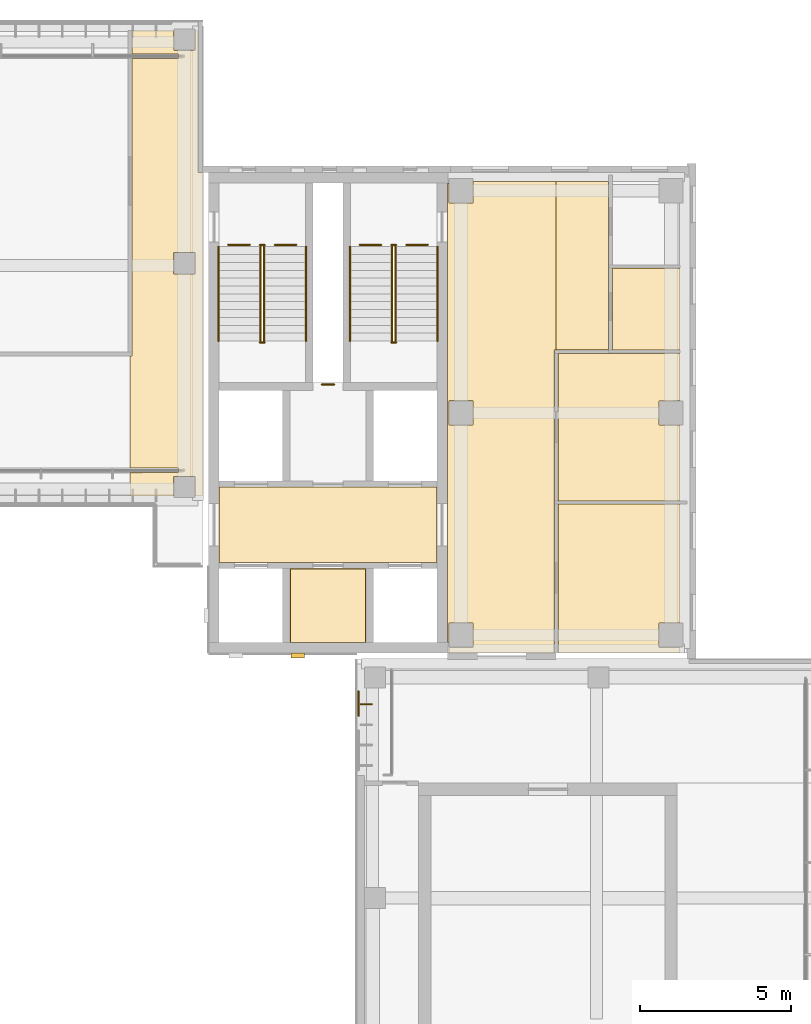
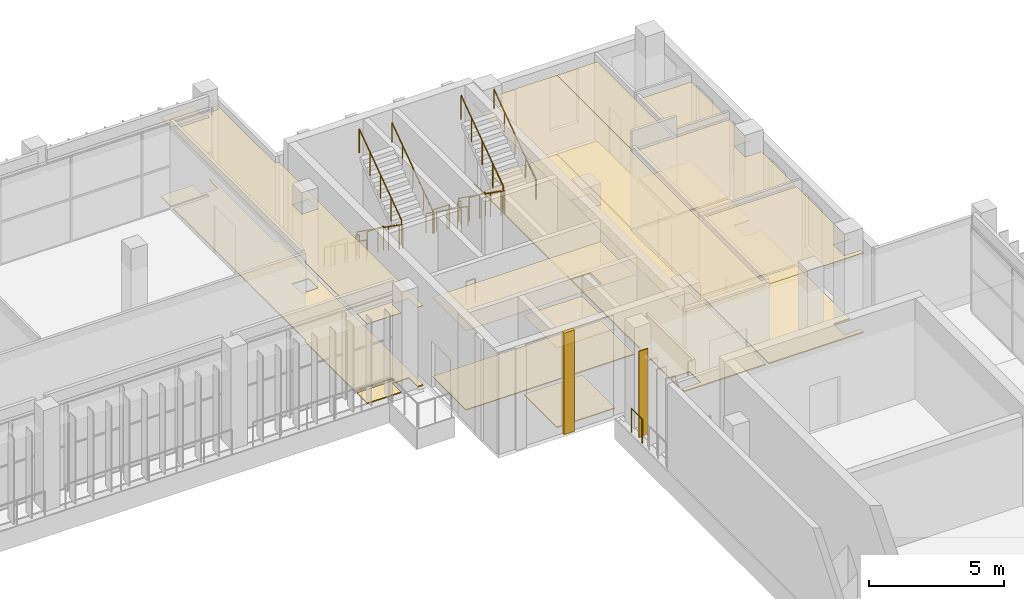
# One storey, part 72 of 73: 18 railings, 17 coverings, 1 shading device.
"""IFC4 building model written with IfcOpenShell, lengths in metres."""

import ifcopenshell
import ifcopenshell.guid

model = None  # the IFC model being written
_history = None  # IfcOwnerHistory: only IFC2X3 demands one
_inside = {}  # id of a spatial element -> (the spatial element, [elements in it])
_under = {}  # id of a project, library or spatial element -> (it, [spatial elements below it])
_declared = {}  # id of a project -> (the project, [libraries it declares])
_typed = {}  # id of a type object -> (the type object, [elements of that type])
_made_of = {}  # id of a material, layer set ... -> (it, [elements and type objects made of it])


def new_model(schema):
    """Start an empty IFC model of exactly this schema.

    Asked for "IFC4X3", IfcOpenShell would pick the latest addendum, in which some entities
    have other attributes; the version numbers below select the first issue.
    IFC2X3 requires an IfcOwnerHistory on every rooted entity: one is made here for all.
    """
    global model, _history
    if schema == "IFC4X3":
        model = ifcopenshell.file(schema_version=(4, 3, 0, 0))
    else:
        model = ifcopenshell.file(schema=schema)
    _inside.clear()
    _under.clear()
    _declared.clear()
    _typed.clear()
    _made_of.clear()
    _history = None
    if model.schema == "IFC2X3":
        org = make("IfcOrganization", Name="unknown")
        user = make(
            "IfcPersonAndOrganization",
            ThePerson=make("IfcPerson", FamilyName="unknown"),
            TheOrganization=org,
        )
        app = make(
            "IfcApplication",
            ApplicationDeveloper=org,
            Version="unknown",
            ApplicationFullName="unknown",
            ApplicationIdentifier="unknown",
        )
        _history = make(
            "IfcOwnerHistory",
            OwningUser=user,
            OwningApplication=app,
            ChangeAction="ADDED",
            CreationDate=0,
        )
    return model


def make(cls, **values):
    """One entity of the class cls with the attributes given. An attribute that is None is left unset."""
    return model.create_entity(
        cls, **{name: value for name, value in values.items() if value is not None}
    )


def rooted(cls, **values):
    """An entity with a GlobalId (a new one), such as an element, a storey or a relation."""
    return make(cls, GlobalId=ifcopenshell.guid.new(), OwnerHistory=_history, **values)


def si_unit(unit_type, name, prefix=None):
    """IfcSIUnit, for example si_unit("LENGTHUNIT", "METRE", prefix="MILLI")."""
    return make("IfcSIUnit", UnitType=unit_type, Prefix=prefix, Name=name)


def assignment(units):
    """IfcUnitAssignment: the units of a project."""
    return None if units is None else make("IfcUnitAssignment", Units=units)


def point(xyz):
    """IfcCartesianPoint."""
    return None if xyz is None else make("IfcCartesianPoint", Coordinates=xyz)


def direction(xyz):
    """IfcDirection."""
    return None if xyz is None else make("IfcDirection", DirectionRatios=xyz)


def frame(location, z_axis=None, x_axis=None):
    """IfcAxis2Placement3D, a coordinate frame: its origin and axes. An axis left out is left unset."""
    return make(
        "IfcAxis2Placement3D",
        Location=point(location),
        Axis=direction(z_axis),
        RefDirection=direction(x_axis),
    )


def frame_2d(location, x_axis=None):
    """IfcAxis2Placement2D, a coordinate frame in the plane: its origin and x axis."""
    return make(
        "IfcAxis2Placement2D", Location=point(location), RefDirection=direction(x_axis)
    )


def origin():
    """The frame at (0, 0, 0) with its axes left unset."""
    return frame((0.0, 0.0, 0.0))


def origin_2d():
    """The frame at (0, 0) in the plane with its x axis left unset."""
    return frame_2d((0.0, 0.0))


def place(relative_to, where):
    """IfcLocalPlacement: puts the frame where relative to a parent placement (None: the world)."""
    return make(
        "IfcLocalPlacement", PlacementRelTo=relative_to, RelativePlacement=where
    )


def context(
    kind, dimensions, precision=None, world=None, true_north=None, identifier=None
):
    """IfcGeometricRepresentationContext, for example the 3D "Model" context."""
    return make(
        "IfcGeometricRepresentationContext",
        ContextIdentifier=identifier,
        ContextType=kind,
        CoordinateSpaceDimension=dimensions,
        Precision=precision,
        WorldCoordinateSystem=world,
        TrueNorth=true_north,
    )


def subcontext(parent, identifier, kind, view, scale=None):
    """IfcGeometricRepresentationSubContext, for example "Body" below "Model"."""
    return make(
        "IfcGeometricRepresentationSubContext",
        ContextIdentifier=identifier,
        ContextType=kind,
        ParentContext=parent,
        TargetScale=scale,
        TargetView=view,
    )


def project(units=None, contexts=None):
    """IfcProject with its units and contexts."""
    return rooted(
        "IfcProject",
        Name="project",
        RepresentationContexts=contexts,
        UnitsInContext=assignment(units),
    )


def spatial(cls, under=None, at=None, **own):
    """A site, building, storey or space (cls), placed at a placement, below another one or the project."""
    s = rooted(cls, ObjectPlacement=at, **own)
    if under is not None:
        _under.setdefault(under.id(), (under, []))[1].append(s)
    return s


def polyline(points):
    """IfcPolyline through the points."""
    return make("IfcPolyline", Points=[point(p) for p in points])


def profile(cls, at=None, kind="AREA", **sizes):
    """A parametric profile (cls). Its sizes go by their IFC names, for example OverallWidth=200.0."""
    return make(cls, ProfileType=kind, Position=at, **sizes)


def rectangle(**sizes):
    """IfcRectangleProfileDef."""
    return profile("IfcRectangleProfileDef", **sizes)


def circle(**sizes):
    """IfcCircleProfileDef."""
    return profile("IfcCircleProfileDef", **sizes)


def outline(outer, holes=None, kind="AREA"):
    """IfcArbitraryClosedProfileDef: a profile drawn as a closed curve; with holes, ...WithVoids."""
    if holes is None:
        return make("IfcArbitraryClosedProfileDef", ProfileType=kind, OuterCurve=outer)
    return make(
        "IfcArbitraryProfileDefWithVoids",
        ProfileType=kind,
        OuterCurve=outer,
        InnerCurves=holes,
    )


def extrude(swept, where, along, depth):
    """IfcExtrudedAreaSolid: the profile swept, set in the frame where, extruded along a direction by depth."""
    return make(
        "IfcExtrudedAreaSolid",
        SweptArea=swept,
        Position=where,
        ExtrudedDirection=direction(along),
        Depth=depth,
    )


def shape(context_of_items, identifier, shape_type, items):
    """IfcShapeRepresentation: the items that make up one representation, for example the "Body"."""
    return make(
        "IfcShapeRepresentation",
        ContextOfItems=context_of_items,
        RepresentationIdentifier=identifier,
        RepresentationType=shape_type,
        Items=items,
    )


def material(Name=None, Category=None):
    """IfcMaterial."""
    return make("IfcMaterial", Name=Name, Category=Category)


def layer(
    of_material, thickness, ventilated=None, Name=None, Category=None, Priority=None
):
    """IfcMaterialLayer: one layer of a wall or slab, of a material (None: an air gap)."""
    return make(
        "IfcMaterialLayer",
        Material=of_material,
        LayerThickness=thickness,
        IsVentilated=ventilated,
        Name=Name,
        Category=Category,
        Priority=Priority,
    )


def layer_set(layers, Name=None):
    """IfcMaterialLayerSet."""
    return make("IfcMaterialLayerSet", MaterialLayers=layers, LayerSetName=Name)


def made_of(thing, what):
    """Note that an element or type object is made of a material, layer set ...; save() writes the relation."""
    if what is not None:
        _made_of.setdefault(what.id(), (what, []))[1].append(thing)
    return thing


def type_object(cls, material=None, **own):
    """A type object (cls), such as IfcWallType, which elements share."""
    return made_of(rooted(cls, **own), material)


def element(
    cls,
    number,
    at=None,
    inside=None,
    cuts=None,
    type_object=None,
    material=None,
    context=None,
    identifier="Body",
    shape_type=None,
    held_by="IfcProductDefinitionShape",
    body=None,
    shapes=None,
    **own,
):
    """One element of the class cls, such as IfcWall. Its Tag is "e" and its number.

    at: its placement. inside: the storey or other place that contains it. cuts: it is an
    opening in that element (IfcRelVoidsElement). A single representation is given by context,
    identifier, shape_type and body (its items); several are given by shapes. held_by: the class
    of the entity that holds the representations. save() writes the other relations.
    """
    e = rooted(cls, Tag="e%d" % number, ObjectPlacement=at, **own)
    if body is not None:
        shapes = [shape(context, identifier, shape_type, body)]
    if shapes is not None:
        e.Representation = make(held_by, Representations=shapes)
    if inside is not None:
        _inside.setdefault(inside.id(), (inside, []))[1].append(e)
    if cuts is not None:
        rooted(
            "IfcRelVoidsElement", RelatingBuildingElement=cuts, RelatedOpeningElement=e
        )
    if type_object is not None:
        _typed.setdefault(type_object.id(), (type_object, []))[1].append(e)
    return made_of(e, material)


def aggregate(whole, parts):
    """IfcRelAggregates: a whole, such as a stair, and the parts it consists of."""
    return rooted("IfcRelAggregates", RelatingObject=whole, RelatedObjects=parts)


def save(model, path):
    """Write the relations noted so far, then the file.

    IfcRelAggregates (storeys below a building ...), IfcRelContainedInSpatialStructure (elements
    in a storey), IfcRelDefinesByType, IfcRelAssociatesMaterial and IfcRelDeclares: one each for
    every whole, place, type object, material and project.
    """
    for whole, parts in _under.values():
        aggregate(whole, parts)
    for where, things in _inside.values():
        rooted(
            "IfcRelContainedInSpatialStructure",
            RelatedElements=things,
            RelatingStructure=where,
        )
    for kind, things in _typed.values():
        rooted("IfcRelDefinesByType", RelatedObjects=things, RelatingType=kind)
    for what, things in _made_of.values():
        rooted("IfcRelAssociatesMaterial", RelatedObjects=things, RelatingMaterial=what)
    for by, libraries in _declared.values():
        rooted("IfcRelDeclares", RelatingContext=by, RelatedDefinitions=libraries)
    model.write(path)


model = new_model("IFC4")

# Units and contexts
model_context = context("Model", 3, precision=1e-05, world=origin(), true_north=direction((0.0, 1.0)))
body_context = subcontext(model_context, "Body", "Model", "MODEL_VIEW")
ifc_project = project(units=[si_unit("LENGTHUNIT", "METRE"), si_unit("AREAUNIT", "SQUARE_METRE"), si_unit("VOLUMEUNIT", "CUBIC_METRE"), si_unit("PLANEANGLEUNIT", "RADIAN"), si_unit("MASSUNIT", "GRAM", prefix="KILO")], contexts=[model_context])

# Site, building, storey
site_placement = place(None, origin())
site = spatial("IfcSite", under=ifc_project, at=site_placement, CompositionType="ELEMENT")
building_placement = place(site_placement, origin())
building = spatial("IfcBuilding", under=site, at=building_placement, Name="Lantern Court Media Centre", CompositionType="ELEMENT")
storey_placement = place(building_placement, frame((0.0, 0.0, 24.0)))
storey = spatial("IfcBuildingStorey", under=building, at=storey_placement, Name="L05", CompositionType="ELEMENT", Elevation=24.0)

# Coverings
ifc_material_1 = material(Name="Carpet")
ifc_layer_1 = layer(ifc_material_1, 0.050048828125)
ifc_layer_set_1 = layer_set([ifc_layer_1], Name="Carpet")
covering_type_1 = type_object("IfcCoveringType", Name="Carpet floor finish", PredefinedType="FLOORING", material=ifc_layer_set_1)
covering_1_placement = place(storey_placement, origin())
element("IfcCovering", 1, at=covering_1_placement, inside=storey, type_object=covering_type_1, Name="Broadcast Programming Office 06 floor finish", PredefinedType="FLOORING", context=body_context, shape_type="SweptSolid", body=[
    extrude(outline(polyline([(95.699951171875, 101.14306640625), (91.66748046875, 101.14306640625), (91.66748046875, 106.009521484375), (95.699951171875, 106.02197265625), (95.699951171875, 104.455078125), (94.9951171875, 104.449951171875), (94.99609375, 103.646728515625), (95.699951171875, 103.64501953125), (95.699951171875, 101.14306640625)])), origin(), (0.0, 0.0, 1.0), 0.050048828125),
])
covering_2_placement = place(storey_placement, origin())
element("IfcCovering", 2, at=covering_2_placement, inside=storey, type_object=covering_type_1, Name="Broadcast Programming Office 07 floor finish", PredefinedType="FLOORING", context=body_context, shape_type="SweptSolid", body=[
    extrude(outline(polyline([(95.699951171875, 96.10009765625), (91.66748046875, 96.10009765625), (91.66748046875, 101.032958984375), (95.699951171875, 101.032958984375), (95.699951171875, 97.10498046875), (94.9951171875, 97.10009765625), (94.995849609375, 96.297119140625), (95.699951171875, 96.294921875), (95.699951171875, 96.10009765625)])), origin(), (0.0, 0.0, 1.0), 0.050048828125),
])
covering_3_placement = place(storey_placement, origin())
element("IfcCovering", 3, at=covering_3_placement, inside=storey, type_object=covering_type_1, Name="WC Female floor finish", PredefinedType="FLOORING", context=body_context, shape_type="SweptSolid", body=[
    extrude(outline(polyline([(95.699951171875, 106.132080078125), (93.467529296875, 106.132080078125), (93.467529296875, 108.8330078125), (95.699951171875, 108.8330078125), (95.699951171875, 106.132080078125)])), origin(), (0.0, 0.0, 1.0), 0.050048828125),
])
ifc_material_2 = material(Name="Ceramic tile")
ifc_layer_2 = layer(ifc_material_2, 0.050048828125)
ifc_layer_set_2 = layer_set([ifc_layer_2], Name="Ceramic tile")
covering_type_2 = type_object("IfcCoveringType", Name="Ceramic tile floor finish", PredefinedType="FLOORING", material=ifc_layer_set_2)
covering_4_placement = place(storey_placement, origin())
element("IfcCovering", 4, at=covering_4_placement, inside=storey, type_object=covering_type_2, Name="Accessible WC floor finish", PredefinedType="FLOORING", context=body_context, shape_type="SweptSolid", body=[
    extrude(outline(polyline([(82.804931640625, 96.455078125), (82.804931640625, 98.89501953125), (85.294921875, 98.89501953125), (85.294921875, 96.455078125), (82.804931640625, 96.455078125)])), origin(), (0.0, 0.0, 1.0), 0.050048828125),
])

# Railings
ifc_material_3 = material(Name="Powder-coated steel", Category="steel")
railing_type_1 = type_object("IfcRailingType", Name="Floor edge guard 1100", PredefinedType="GUARDRAIL", material=ifc_material_3)
railing_1_placement = place(storey_placement, frame((85.10009765625, 109.609619140625, 0.0)))
element("IfcRailing", 5, at=railing_1_placement, inside=storey, type_object=railing_type_1, Name="L05 opening guard 137", PredefinedType="GUARDRAIL", context=body_context, shape_type="SweptSolid", body=[
    extrude(circle(Radius=0.02392578125, at=origin_2d()), frame((0.0, 0.0, 1.076171875), z_axis=(1.0, 0.0, 0.0), x_axis=(0.0, 1.0, 0.0)), (0.0, 0.0, 1.0), 0.70361328125),
    extrude(circle(Radius=0.02099609375, at=origin_2d()), origin(), (0.0, 0.0, 1.0), 1.052001953125),
    extrude(circle(Radius=0.02099609375, at=origin_2d()), frame((0.70361328125, 0.0, 0.0)), (0.0, 0.0, 1.0), 1.052001953125),
])
railing_2_placement = place(storey_placement, frame((86.646240234375, 109.609619140625, 0.0)))
element("IfcRailing", 6, at=railing_2_placement, inside=storey, type_object=railing_type_1, Name="L05 opening guard 138", PredefinedType="GUARDRAIL", context=body_context, shape_type="SweptSolid", body=[
    extrude(circle(Radius=0.02392578125, at=origin_2d()), frame((0.0, 0.0, 1.076171875), z_axis=(1.0, 0.0, 0.0), x_axis=(0.0, 1.0, 0.0)), (0.0, 0.0, 1.0), 0.703857421875),
    extrude(circle(Radius=0.02099609375, at=origin_2d()), origin(), (0.0, 0.0, 1.0), 1.052001953125),
    extrude(circle(Radius=0.02099609375, at=origin_2d()), frame((0.703857421875, 0.0, 0.0)), (0.0, 0.0, 1.0), 1.052001953125),
])
for number, where, name in (
    (7, (80.75, 109.609619140625, 0.0), "L05 opening guard 139"),
    (8, (82.29638671875, 109.609619140625, 0.0), "L05 opening guard 140"),
):
    element("IfcRailing", number, at=place(storey_placement, frame(where)), inside=storey, type_object=railing_type_1, Name=name, PredefinedType="GUARDRAIL", context=body_context, shape_type="SweptSolid", body=[
        extrude(circle(Radius=0.02392578125, at=origin_2d()), frame((0.0, 0.0, 1.076171875), z_axis=(1.0, 0.0, 0.0), x_axis=(0.0, 1.0, 0.0)), (0.0, 0.0, 1.0), 0.70361328125),
        extrude(circle(Radius=0.02099609375, at=origin_2d()), origin(), (0.0, 0.0, 1.0), 1.052001953125),
        extrude(circle(Radius=0.02099609375, at=origin_2d()), frame((0.70361328125, 0.0, 0.0)), (0.0, 0.0, 1.0), 1.052001953125),
    ])
railing_3_placement = place(storey_placement, frame((83.85009765625, 104.989990234375, 0.0)))
element("IfcRailing", 9, at=railing_3_placement, inside=storey, type_object=railing_type_1, Name="L05 opening guard 141", PredefinedType="GUARDRAIL", context=body_context, shape_type="SweptSolid", body=[
    extrude(circle(Radius=0.02392578125, at=origin_2d()), frame((0.0, 0.0, 1.076171875), z_axis=(1.0, 0.0, 0.0), x_axis=(0.0, 1.0, 0.0)), (0.0, 0.0, 1.0), 0.39990234375),
    extrude(circle(Radius=0.02099609375, at=origin_2d()), origin(), (0.0, 0.0, 1.0), 1.052001953125),
    extrude(circle(Radius=0.02099609375, at=origin_2d()), frame((0.39990234375, 0.0, 0.0)), (0.0, 0.0, 1.0), 1.052001953125),
])
railing_4_placement = place(storey_placement, frame((85.06005859375, 94.034912109375, 0.0)))
element("IfcRailing", 10, at=railing_4_placement, inside=storey, type_object=railing_type_1, Name="L05 edge guard 194", PredefinedType="GUARDRAIL", context=body_context, shape_type="SweptSolid", body=[
    extrude(circle(Radius=0.02392578125, at=origin_2d()), frame((0.0, 0.0, 1.076171875), z_axis=(0.0, 1.0, 0.0), x_axis=(-1.0, 0.0, 0.0)), (0.0, 0.0, 1.0), 0.799072265625),
    extrude(circle(Radius=0.02099609375, at=origin_2d()), origin(), (0.0, 0.0, 1.0), 1.052001953125),
    extrude(circle(Radius=0.02099609375, at=origin_2d()), frame((0.0, 0.799072265625, 0.0)), (0.0, 0.0, 1.0), 1.052001953125),
])

# Covering
ifc_material_4 = material(Name="Honed limestone cladding", Category="masonry")
ifc_layer_3 = layer(ifc_material_4, 0.14990234375)
ifc_layer_set_3 = layer_set([ifc_layer_3], Name="Honed limestone cladding")
covering_type_3 = type_object("IfcCoveringType", Name="Limestone pilaster cladding 150", PredefinedType="CLADDING", material=ifc_layer_set_3)
covering_5_placement = place(storey_placement, frame((82.824951171875, 96.02490234375, 0.0), z_axis=(0.0, 0.0, 1.0), x_axis=(1.0, 0.0, 0.0)))
element("IfcCovering", 11, at=covering_5_placement, inside=storey, type_object=covering_type_3, Name="Limestone pilaster rib", PredefinedType="CLADDING", context=body_context, shape_type="SweptSolid", body=[
    extrude(rectangle(XDim=0.449951171875, YDim=0.14990234375, at=frame_2d((0.22509765625, 0.0))), origin(), (0.0, 0.0, 1.0), 4.580078125),
])

# Railings
railing_type_2 = type_object("IfcRailingType", Name="Stair guard 1100", PredefinedType="GUARDRAIL", material=ifc_material_3)
railing_5_placement = place(storey_placement, frame((86.174072265625, 109.550048828125, 0.1845703125)))
element("IfcRailing", 12, at=railing_5_placement, inside=storey, type_object=railing_type_2, Name="L05 ST-NEA stair guard 1", PredefinedType="GUARDRAIL", context=body_context, shape_type="SweptSolid", body=[
    extrude(circle(Radius=0.02392578125, at=origin_2d()), frame((0.0, 0.0, 1.076171875), z_axis=(0.0, -0.815376961211, 0.578930402662), x_axis=(1.0, 0.0, 0.0)), (0.0, 0.0, 1.0), 3.82666015625),
    extrude(circle(Radius=0.02099609375, at=origin_2d()), origin(), (0.0, 0.0, 1.0), 1.052001953125),
    extrude(circle(Radius=0.02099609375, at=origin_2d()), frame((0.0, -0.780029296875, 0.5537109375)), (0.0, 0.0, 1.0), 1.052001953125),
    extrude(circle(Radius=0.02099609375, at=origin_2d()), frame((0.0, -1.56005859375, 1.107666015625)), (0.0, 0.0, 1.0), 1.052001953125),
    extrude(circle(Radius=0.02099609375, at=origin_2d()), frame((0.0, -2.340087890625, 1.66162109375)), (0.0, 0.0, 1.0), 1.052001953125),
    extrude(circle(Radius=0.02099609375, at=origin_2d()), frame((0.0, -3.1201171875, 2.21533203125)), (0.0, 0.0, 1.0), 1.052001953125),
])
railing_6_placement = place(storey_placement, frame((86.14990234375, 106.3798828125, 2.39990234375)))
element("IfcRailing", 13, at=railing_6_placement, inside=storey, type_object=railing_type_2, Name="L05 ST-NEA stair guard 2", PredefinedType="GUARDRAIL", context=body_context, shape_type="SweptSolid", body=[
    extrude(circle(Radius=0.02392578125, at=origin_2d()), frame((0.0, 0.0, 1.076171875), z_axis=(1.0, 0.0, 0.0), x_axis=(0.0, 1.0, 0.0)), (0.0, 0.0, 1.0), 0.150146484375),
    extrude(circle(Radius=0.02099609375, at=origin_2d()), origin(), (0.0, 0.0, 1.0), 1.052001953125),
    extrude(circle(Radius=0.02099609375, at=origin_2d()), frame((0.150146484375, 0.0, 0.0)), (0.0, 0.0, 1.0), 1.052001953125),
])
railing_7_placement = place(storey_placement, frame((86.27587890625, 106.429931640625, 2.584716796875)))
element("IfcRailing", 14, at=railing_7_placement, inside=storey, type_object=railing_type_2, Name="L05 ST-NEA stair guard 3", PredefinedType="GUARDRAIL", context=body_context, shape_type="SweptSolid", body=[
    extrude(circle(Radius=0.02392578125, at=origin_2d()), frame((0.0, 0.0, 1.076171875), z_axis=(0.0, 0.815376961211, 0.578930402662), x_axis=(-1.0, 0.0, 0.0)), (0.0, 0.0, 1.0), 3.82666015625),
    extrude(circle(Radius=0.02099609375, at=origin_2d()), origin(), (0.0, 0.0, 1.0), 1.052001953125),
    extrude(circle(Radius=0.02099609375, at=origin_2d()), frame((0.0, 0.780029296875, 0.5537109375)), (0.0, 0.0, 1.0), 1.052001953125),
    extrude(circle(Radius=0.02099609375, at=origin_2d()), frame((0.0, 1.56005859375, 1.107666015625)), (0.0, 0.0, 1.0), 1.052001953125),
    extrude(circle(Radius=0.02099609375, at=origin_2d()), frame((0.0, 2.340087890625, 1.66162109375)), (0.0, 0.0, 1.0), 1.052001953125),
    extrude(circle(Radius=0.02099609375, at=origin_2d()), frame((0.0, 3.1201171875, 2.21533203125)), (0.0, 0.0, 1.0), 1.052001953125),
])
railing_8_placement = place(storey_placement, frame((86.14990234375, 109.60009765625, 0.0)))
element("IfcRailing", 15, at=railing_8_placement, inside=storey, type_object=railing_type_2, Name="L05 ST-NEA stair guard 4", PredefinedType="GUARDRAIL", context=body_context, shape_type="SweptSolid", body=[
    extrude(circle(Radius=0.02392578125, at=origin_2d()), frame((0.0, 0.0, 1.076171875), z_axis=(1.0, 0.0, 0.0), x_axis=(0.0, 1.0, 0.0)), (0.0, 0.0, 1.0), 0.150146484375),
    extrude(circle(Radius=0.02099609375, at=origin_2d()), origin(), (0.0, 0.0, 1.0), 1.052001953125),
    extrude(circle(Radius=0.02099609375, at=origin_2d()), frame((0.150146484375, 0.0, 0.0)), (0.0, 0.0, 1.0), 1.052001953125),
])
railing_9_placement = place(storey_placement, frame((81.823974609375, 109.550048828125, 0.1845703125)))
element("IfcRailing", 16, at=railing_9_placement, inside=storey, type_object=railing_type_2, Name="L05 ST-NEB stair guard 1", PredefinedType="GUARDRAIL", context=body_context, shape_type="SweptSolid", body=[
    extrude(circle(Radius=0.02392578125, at=origin_2d()), frame((0.0, 0.0, 1.076171875), z_axis=(0.0, -0.815376961211, 0.578930402662), x_axis=(1.0, 0.0, 0.0)), (0.0, 0.0, 1.0), 3.82666015625),
    extrude(circle(Radius=0.02099609375, at=origin_2d()), origin(), (0.0, 0.0, 1.0), 1.052001953125),
    extrude(circle(Radius=0.02099609375, at=origin_2d()), frame((0.0, -0.780029296875, 0.5537109375)), (0.0, 0.0, 1.0), 1.052001953125),
    extrude(circle(Radius=0.02099609375, at=origin_2d()), frame((0.0, -1.56005859375, 1.107666015625)), (0.0, 0.0, 1.0), 1.052001953125),
    extrude(circle(Radius=0.02099609375, at=origin_2d()), frame((0.0, -2.340087890625, 1.66162109375)), (0.0, 0.0, 1.0), 1.052001953125),
    extrude(circle(Radius=0.02099609375, at=origin_2d()), frame((0.0, -3.1201171875, 2.21533203125)), (0.0, 0.0, 1.0), 1.052001953125),
])
railing_10_placement = place(storey_placement, frame((81.800048828125, 106.3798828125, 2.39990234375)))
element("IfcRailing", 17, at=railing_10_placement, inside=storey, type_object=railing_type_2, Name="L05 ST-NEB stair guard 2", PredefinedType="GUARDRAIL", context=body_context, shape_type="SweptSolid", body=[
    extrude(circle(Radius=0.02392578125, at=origin_2d()), frame((0.0, 0.0, 1.076171875), z_axis=(1.0, 0.0, 0.0), x_axis=(0.0, 1.0, 0.0)), (0.0, 0.0, 1.0), 0.14990234375),
    extrude(circle(Radius=0.02099609375, at=origin_2d()), origin(), (0.0, 0.0, 1.0), 1.052001953125),
    extrude(circle(Radius=0.02099609375, at=origin_2d()), frame((0.14990234375, 0.0, 0.0)), (0.0, 0.0, 1.0), 1.052001953125),
])
railing_11_placement = place(storey_placement, frame((81.926025390625, 106.429931640625, 2.584716796875)))
element("IfcRailing", 18, at=railing_11_placement, inside=storey, type_object=railing_type_2, Name="L05 ST-NEB stair guard 3", PredefinedType="GUARDRAIL", context=body_context, shape_type="SweptSolid", body=[
    extrude(circle(Radius=0.02392578125, at=origin_2d()), frame((0.0, 0.0, 1.076171875), z_axis=(0.0, 0.815376961211, 0.578930402662), x_axis=(-1.0, 0.0, 0.0)), (0.0, 0.0, 1.0), 3.82666015625),
    extrude(circle(Radius=0.02099609375, at=origin_2d()), origin(), (0.0, 0.0, 1.0), 1.052001953125),
    extrude(circle(Radius=0.02099609375, at=origin_2d()), frame((0.0, 0.780029296875, 0.5537109375)), (0.0, 0.0, 1.0), 1.052001953125),
    extrude(circle(Radius=0.02099609375, at=origin_2d()), frame((0.0, 1.56005859375, 1.107666015625)), (0.0, 0.0, 1.0), 1.052001953125),
    extrude(circle(Radius=0.02099609375, at=origin_2d()), frame((0.0, 2.340087890625, 1.66162109375)), (0.0, 0.0, 1.0), 1.052001953125),
    extrude(circle(Radius=0.02099609375, at=origin_2d()), frame((0.0, 3.1201171875, 2.21533203125)), (0.0, 0.0, 1.0), 1.052001953125),
])
railing_12_placement = place(storey_placement, frame((81.800048828125, 109.60009765625, 0.0)))
element("IfcRailing", 19, at=railing_12_placement, inside=storey, type_object=railing_type_2, Name="L05 ST-NEB stair guard 4", PredefinedType="GUARDRAIL", context=body_context, shape_type="SweptSolid", body=[
    extrude(circle(Radius=0.02392578125, at=origin_2d()), frame((0.0, 0.0, 1.076171875), z_axis=(1.0, 0.0, 0.0), x_axis=(0.0, 1.0, 0.0)), (0.0, 0.0, 1.0), 0.14990234375),
    extrude(circle(Radius=0.02099609375, at=origin_2d()), origin(), (0.0, 0.0, 1.0), 1.052001953125),
    extrude(circle(Radius=0.02099609375, at=origin_2d()), frame((0.14990234375, 0.0, 0.0)), (0.0, 0.0, 1.0), 1.052001953125),
])
railing_type_3 = type_object("IfcRailingType", Name="Stair handrail 900", PredefinedType="HANDRAIL", material=ifc_material_3)
railing_13_placement = place(storey_placement, frame((84.77587890625, 109.550048828125, 0.1845703125)))
element("IfcRailing", 20, at=railing_13_placement, inside=storey, type_object=railing_type_3, Name="L05 ST-NEA stair handrail 1", PredefinedType="HANDRAIL", context=body_context, shape_type="SweptSolid", body=[
    extrude(circle(Radius=0.02392578125, at=origin_2d()), frame((0.0, 0.0, 0.8759765625), z_axis=(0.0, -0.815376961211, 0.578930402662), x_axis=(1.0, 0.0, 0.0)), (0.0, 0.0, 1.0), 3.82666015625),
    extrude(circle(Radius=0.02099609375, at=origin_2d()), origin(), (0.0, 0.0, 1.0), 0.851806640625),
    extrude(circle(Radius=0.02099609375, at=origin_2d()), frame((0.0, -0.780029296875, 0.5537109375)), (0.0, 0.0, 1.0), 0.851806640625),
    extrude(circle(Radius=0.02099609375, at=origin_2d()), frame((0.0, -1.56005859375, 1.107666015625)), (0.0, 0.0, 1.0), 0.851806640625),
    extrude(circle(Radius=0.02099609375, at=origin_2d()), frame((0.0, -2.340087890625, 1.66162109375)), (0.0, 0.0, 1.0), 0.851806640625),
    extrude(circle(Radius=0.02099609375, at=origin_2d()), frame((0.0, -3.1201171875, 2.21533203125)), (0.0, 0.0, 1.0), 0.851806640625),
])
railing_14_placement = place(storey_placement, frame((87.674072265625, 106.429931640625, 2.584716796875)))
element("IfcRailing", 21, at=railing_14_placement, inside=storey, type_object=railing_type_3, Name="L05 ST-NEA stair handrail 2", PredefinedType="HANDRAIL", context=body_context, shape_type="SweptSolid", body=[
    extrude(circle(Radius=0.02392578125, at=origin_2d()), frame((0.0, 0.0, 0.8759765625), z_axis=(0.0, 0.815376961211, 0.578930402662), x_axis=(-1.0, 0.0, 0.0)), (0.0, 0.0, 1.0), 3.82666015625),
    extrude(circle(Radius=0.02099609375, at=origin_2d()), origin(), (0.0, 0.0, 1.0), 0.851806640625),
    extrude(circle(Radius=0.02099609375, at=origin_2d()), frame((0.0, 0.780029296875, 0.5537109375)), (0.0, 0.0, 1.0), 0.851806640625),
    extrude(circle(Radius=0.02099609375, at=origin_2d()), frame((0.0, 1.56005859375, 1.107666015625)), (0.0, 0.0, 1.0), 0.851806640625),
    extrude(circle(Radius=0.02099609375, at=origin_2d()), frame((0.0, 2.340087890625, 1.66162109375)), (0.0, 0.0, 1.0), 0.851806640625),
    extrude(circle(Radius=0.02099609375, at=origin_2d()), frame((0.0, 3.1201171875, 2.21533203125)), (0.0, 0.0, 1.0), 0.851806640625),
])
railing_15_placement = place(storey_placement, frame((80.426025390625, 109.550048828125, 0.1845703125)))
element("IfcRailing", 22, at=railing_15_placement, inside=storey, type_object=railing_type_3, Name="L05 ST-NEB stair handrail 1", PredefinedType="HANDRAIL", context=body_context, shape_type="SweptSolid", body=[
    extrude(circle(Radius=0.02392578125, at=origin_2d()), frame((0.0, 0.0, 0.8759765625), z_axis=(0.0, -0.815376961211, 0.578930402662), x_axis=(1.0, 0.0, 0.0)), (0.0, 0.0, 1.0), 3.82666015625),
    extrude(circle(Radius=0.02099609375, at=origin_2d()), origin(), (0.0, 0.0, 1.0), 0.851806640625),
    extrude(circle(Radius=0.02099609375, at=origin_2d()), frame((0.0, -0.780029296875, 0.5537109375)), (0.0, 0.0, 1.0), 0.851806640625),
    extrude(circle(Radius=0.02099609375, at=origin_2d()), frame((0.0, -1.56005859375, 1.107666015625)), (0.0, 0.0, 1.0), 0.851806640625),
    extrude(circle(Radius=0.02099609375, at=origin_2d()), frame((0.0, -2.340087890625, 1.66162109375)), (0.0, 0.0, 1.0), 0.851806640625),
    extrude(circle(Radius=0.02099609375, at=origin_2d()), frame((0.0, -3.1201171875, 2.21533203125)), (0.0, 0.0, 1.0), 0.851806640625),
])
railing_16_placement = place(storey_placement, frame((83.323974609375, 106.429931640625, 2.584716796875)))
element("IfcRailing", 23, at=railing_16_placement, inside=storey, type_object=railing_type_3, Name="L05 ST-NEB stair handrail 2", PredefinedType="HANDRAIL", context=body_context, shape_type="SweptSolid", body=[
    extrude(circle(Radius=0.02392578125, at=origin_2d()), frame((0.0, 0.0, 0.8759765625), z_axis=(0.0, 0.815376961211, 0.578930402662), x_axis=(-1.0, 0.0, 0.0)), (0.0, 0.0, 1.0), 3.82666015625),
    extrude(circle(Radius=0.02099609375, at=origin_2d()), origin(), (0.0, 0.0, 1.0), 0.851806640625),
    extrude(circle(Radius=0.02099609375, at=origin_2d()), frame((0.0, 0.780029296875, 0.5537109375)), (0.0, 0.0, 1.0), 0.851806640625),
    extrude(circle(Radius=0.02099609375, at=origin_2d()), frame((0.0, 1.56005859375, 1.107666015625)), (0.0, 0.0, 1.0), 0.851806640625),
    extrude(circle(Radius=0.02099609375, at=origin_2d()), frame((0.0, 2.340087890625, 1.66162109375)), (0.0, 0.0, 1.0), 0.851806640625),
    extrude(circle(Radius=0.02099609375, at=origin_2d()), frame((0.0, 3.1201171875, 2.21533203125)), (0.0, 0.0, 1.0), 0.851806640625),
])

# Coverings
ifc_material_5 = material(Name="Mineral fibre ceiling tile")
ifc_layer_4 = layer(ifc_material_5, 0.02001953125)
ifc_layer_set_4 = layer_set([ifc_layer_4], Name="Mineral fibre ceiling tile")
covering_type_4 = type_object("IfcCoveringType", Name="Suspended ceiling tile", PredefinedType="CEILING", material=ifc_layer_set_4)
covering_6_placement = place(storey_placement, frame((0.0, 0.0, 3.60009765625)))
element("IfcCovering", 24, at=covering_6_placement, inside=storey, type_object=covering_type_4, Name="End Lobby ceiling", PredefinedType="CEILING", context=body_context, shape_type="SweptSolid", body=[
    extrude(outline(polyline([(79.89990234375, 101.300048828125), (79.650390625, 101.300048828125), (79.64990234375, 101.950439453125), (78.94970703125, 101.950439453125), (78.949462890625, 101.300048828125), (77.5, 101.300048828125), (77.5, 102.074462890625), (79.1005859375, 102.074951171875), (79.10009765625, 102.2255859375), (77.5, 102.2255859375), (77.5, 105.93701171875), (77.56298828125, 105.9375), (77.56298828125, 115.77001953125), (77.5, 115.7744140625), (79.1005859375, 115.77490234375), (79.10009765625, 115.925537109375), (77.5, 115.925537109375), (77.56298828125, 115.929931640625), (77.56298828125, 116.699951171875), (78.949462890625, 116.699951171875), (78.949951171875, 116.049560546875), (79.650390625, 116.049560546875), (79.650390625, 116.699951171875), (79.759521484375, 116.699951171875), (79.759521484375, 112.0), (79.89990234375, 111.99951171875), (79.89990234375, 101.300048828125)]), holes=[polyline([(79.650390625, 109.35009765625), (78.94970703125, 109.350341796875), (78.94970703125, 108.649658203125), (79.650390625, 108.649658203125), (79.650390625, 109.35009765625)])]), origin(), (0.0, 0.0, 1.0), 0.02001953125),
])
covering_7_placement = place(storey_placement, frame((0.0, 0.0, 3.60009765625)))
element("IfcCovering", 25, at=covering_7_placement, inside=storey, type_object=covering_type_4, Name="Lift Lobby ceiling", PredefinedType="CEILING", context=body_context, shape_type="SweptSolid", body=[
    extrude(outline(polyline([(87.6494140625, 99.1005859375), (80.450439453125, 99.1005859375), (80.450439453125, 101.599609375), (87.6494140625, 101.599609375), (87.6494140625, 99.1005859375)])), origin(), (0.0, 0.0, 1.0), 0.02001953125),
])
covering_8_placement = place(storey_placement, frame((0.0, 0.0, 3.60009765625)))
element("IfcCovering", 26, at=covering_8_placement, inside=storey, type_object=covering_type_4, Name="Accessible WC ceiling", PredefinedType="CEILING", context=body_context, shape_type="SweptSolid", body=[
    extrude(outline(polyline([(82.800537109375, 96.450439453125), (82.800537109375, 98.8994140625), (85.299560546875, 98.8994140625), (85.299560546875, 96.450439453125), (82.800537109375, 96.450439453125)])), origin(), (0.0, 0.0, 1.0), 0.02001953125),
])
covering_9_placement = place(storey_placement, frame((0.0, 0.0, 3.60009765625)))
element("IfcCovering", 27, at=covering_9_placement, inside=storey, type_object=covering_type_4, Name="Corridor ceiling", PredefinedType="CEILING", context=body_context, shape_type="SweptSolid", body=[
    extrude(outline(polyline([(91.60009765625, 111.699951171875), (91.60009765625, 106.139892578125), (91.537109375, 106.139404296875), (91.537109375, 96.1005859375), (88.050537109375, 96.1005859375), (88.050537109375, 96.299560546875), (88.850341796875, 96.299560546875), (88.8505859375, 97.10009765625), (88.049560546875, 97.100341796875), (88.049560546875, 96.450439453125), (88.00048828125, 96.450439453125), (88.00048828125, 111.6494140625), (88.049560546875, 111.6494140625), (88.049560546875, 110.99951171875), (88.85009765625, 110.99951171875), (88.8505859375, 111.699951171875), (91.60009765625, 111.699951171875)]), holes=[polyline([(88.8505859375, 104.449951171875), (88.049560546875, 104.450439453125), (88.049560546875, 103.649658203125), (88.850341796875, 103.649658203125), (88.8505859375, 104.449951171875)])]), origin(), (0.0, 0.0, 1.0), 0.02001953125),
])
covering_10_placement = place(storey_placement, frame((0.0, 0.0, 3.60009765625)))
element("IfcCovering", 28, at=covering_10_placement, inside=storey, type_object=covering_type_4, Name="Broadcast Programming Office 06 ceiling", PredefinedType="CEILING", context=body_context, shape_type="SweptSolid", body=[
    extrude(outline(polyline([(95.699951171875, 101.138427734375), (91.6630859375, 101.138427734375), (91.6630859375, 106.013916015625), (95.699951171875, 106.026611328125), (95.699951171875, 104.450439453125), (94.99951171875, 104.449951171875), (94.99951171875, 103.649658203125), (95.699951171875, 103.6494140625), (95.699951171875, 101.138427734375)])), origin(), (0.0, 0.0, 1.0), 0.02001953125),
])
covering_11_placement = place(storey_placement, frame((0.0, 0.0, 3.60009765625)))
element("IfcCovering", 29, at=covering_11_placement, inside=storey, type_object=covering_type_4, Name="Broadcast Programming Office 07 ceiling", PredefinedType="CEILING", context=body_context, shape_type="SweptSolid", body=[
    extrude(outline(polyline([(95.699951171875, 96.10009765625), (91.6630859375, 96.10009765625), (91.6630859375, 101.03759765625), (95.699951171875, 101.03759765625), (95.699951171875, 97.1005859375), (94.99951171875, 97.10009765625), (94.99951171875, 96.2998046875), (95.699951171875, 96.299560546875), (95.699951171875, 96.10009765625)])), origin(), (0.0, 0.0, 1.0), 0.02001953125),
])
covering_12_placement = place(storey_placement, frame((0.0, 0.0, 3.60009765625)))
element("IfcCovering", 30, at=covering_12_placement, inside=storey, type_object=covering_type_4, Name="WC Lobby ceiling", PredefinedType="CEILING", context=body_context, shape_type="SweptSolid", body=[
    extrude(outline(polyline([(91.60009765625, 111.699951171875), (93.3369140625, 111.699951171875), (93.3369140625, 106.139892578125), (91.60009765625, 106.139892578125), (91.60009765625, 111.699951171875)])), origin(), (0.0, 0.0, 1.0), 0.02001953125),
])
covering_13_placement = place(storey_placement, frame((0.0, 0.0, 3.60009765625)))
element("IfcCovering", 31, at=covering_13_placement, inside=storey, type_object=covering_type_4, Name="WC Female ceiling", PredefinedType="CEILING", context=body_context, shape_type="SweptSolid", body=[
    extrude(outline(polyline([(95.699951171875, 106.12744140625), (93.462890625, 106.12744140625), (93.462890625, 108.83740234375), (95.699951171875, 108.83740234375), (95.699951171875, 106.12744140625)])), origin(), (0.0, 0.0, 1.0), 0.02001953125),
])
ifc_material_6 = material(Name="Terrazzo")
ifc_layer_5 = layer(ifc_material_6, 0.050048828125)
ifc_layer_set_5 = layer_set([ifc_layer_5], Name="Terrazzo")
covering_type_5 = type_object("IfcCoveringType", Name="Terrazzo floor finish", PredefinedType="FLOORING", material=ifc_layer_set_5)
covering_14_placement = place(storey_placement, origin())
element("IfcCovering", 32, at=covering_14_placement, inside=storey, type_object=covering_type_5, Name="End Lobby floor finish", PredefinedType="FLOORING", context=body_context, shape_type="SweptSolid", body=[
    extrude(outline(polyline([(79.89990234375, 101.300048828125), (79.655029296875, 101.300048828125), (79.64990234375, 101.955078125), (78.946533203125, 101.95361328125), (78.945068359375, 101.300048828125), (77.5, 101.300048828125), (77.5, 102.070068359375), (79.10498046875, 102.074951171875), (79.1005859375, 102.22998046875), (77.5, 102.22998046875), (77.5, 105.9326171875), (77.5673828125, 105.9375), (77.5673828125, 115.77001953125), (79.10498046875, 115.77490234375), (79.1005859375, 115.929931640625), (77.5673828125, 115.929931640625), (77.5673828125, 116.699951171875), (78.945068359375, 116.699951171875), (78.949951171875, 116.044921875), (79.653076171875, 116.046142578125), (79.655029296875, 116.699951171875), (79.7548828125, 116.699951171875), (79.7548828125, 112.0), (79.89990234375, 111.9951171875), (79.89990234375, 101.300048828125)]), holes=[polyline([(79.64990234375, 108.64501953125), (79.653564453125, 109.353515625), (78.946533203125, 109.353515625), (78.946533203125, 108.646484375), (79.64990234375, 108.64501953125)])]), origin(), (0.0, 0.0, 1.0), 0.050048828125),
])
covering_15_placement = place(storey_placement, origin())
element("IfcCovering", 33, at=covering_15_placement, inside=storey, type_object=covering_type_5, Name="Lift Lobby floor finish", PredefinedType="FLOORING", context=body_context, shape_type="SweptSolid", body=[
    extrude(outline(polyline([(87.64501953125, 99.10498046875), (80.455078125, 99.10498046875), (80.455078125, 101.594970703125), (87.64501953125, 101.594970703125), (87.64501953125, 99.10498046875)])), origin(), (0.0, 0.0, 1.0), 0.050048828125),
])
covering_16_placement = place(storey_placement, origin())
element("IfcCovering", 34, at=covering_16_placement, inside=storey, type_object=covering_type_5, Name="Corridor floor finish", PredefinedType="FLOORING", context=body_context, shape_type="SweptSolid", body=[
    extrude(outline(polyline([(91.60009765625, 111.699951171875), (91.60009765625, 106.14453125), (91.532470703125, 106.139404296875), (91.532470703125, 96.10498046875), (88.054931640625, 96.10498046875), (88.054931640625, 96.294921875), (88.853759765625, 96.296875), (88.85498046875, 97.10009765625), (88.046875, 97.103759765625), (88.044921875, 96.455078125), (88.0048828125, 96.455078125), (88.0048828125, 111.64501953125), (88.044921875, 111.64501953125), (88.046875, 110.99609375), (88.85009765625, 110.9951171875), (88.85498046875, 111.699951171875), (91.60009765625, 111.699951171875)]), holes=[polyline([(88.85009765625, 103.64501953125), (88.853515625, 104.45361328125), (88.04638671875, 104.45361328125), (88.04638671875, 103.646484375), (88.85009765625, 103.64501953125)])]), origin(), (0.0, 0.0, 1.0), 0.050048828125),
])
covering_17_placement = place(storey_placement, origin())
element("IfcCovering", 35, at=covering_17_placement, inside=storey, type_object=covering_type_5, Name="WC Lobby floor finish", PredefinedType="FLOORING", context=body_context, shape_type="SweptSolid", body=[
    extrude(outline(polyline([(91.60009765625, 111.699951171875), (93.33251953125, 111.699951171875), (93.33251953125, 106.14453125), (91.60009765625, 106.14453125), (91.60009765625, 111.699951171875)])), origin(), (0.0, 0.0, 1.0), 0.050048828125),
])

# Shading device
ifc_material_7 = material(Name="Bronze anodised aluminium louvre", Category="aluminium")
ifc_layer_6 = layer(ifc_material_7, 0.0400390625)
ifc_layer_set_6 = layer_set([ifc_layer_6], Name="Bronze anodised aluminium louvre")
shading_device_type = type_object("IfcShadingDeviceType", Name="Vertical louvre 40x400 under beam", PredefinedType="USERDEFINED", material=ifc_layer_set_6)
shading_device_placement = place(storey_placement, frame((85.320068359375, 94.41259765625, 0.0), z_axis=(0.0, 0.0, 1.0), x_axis=(1.0, 0.0, 0.0)))
element("IfcShadingDevice", 36, at=shading_device_placement, inside=storey, type_object=shading_device_type, Name="Vertical louvre E inner L05", ObjectType="VERTICAL LOUVRE", PredefinedType="USERDEFINED", context=body_context, shape_type="SweptSolid", body=[
    extrude(rectangle(XDim=0.39990234375, YDim=0.0400390625, at=origin_2d()), origin(), (0.0, 0.0, 1.0), 3.89990234375),
])

save(model, "model.ifc")
